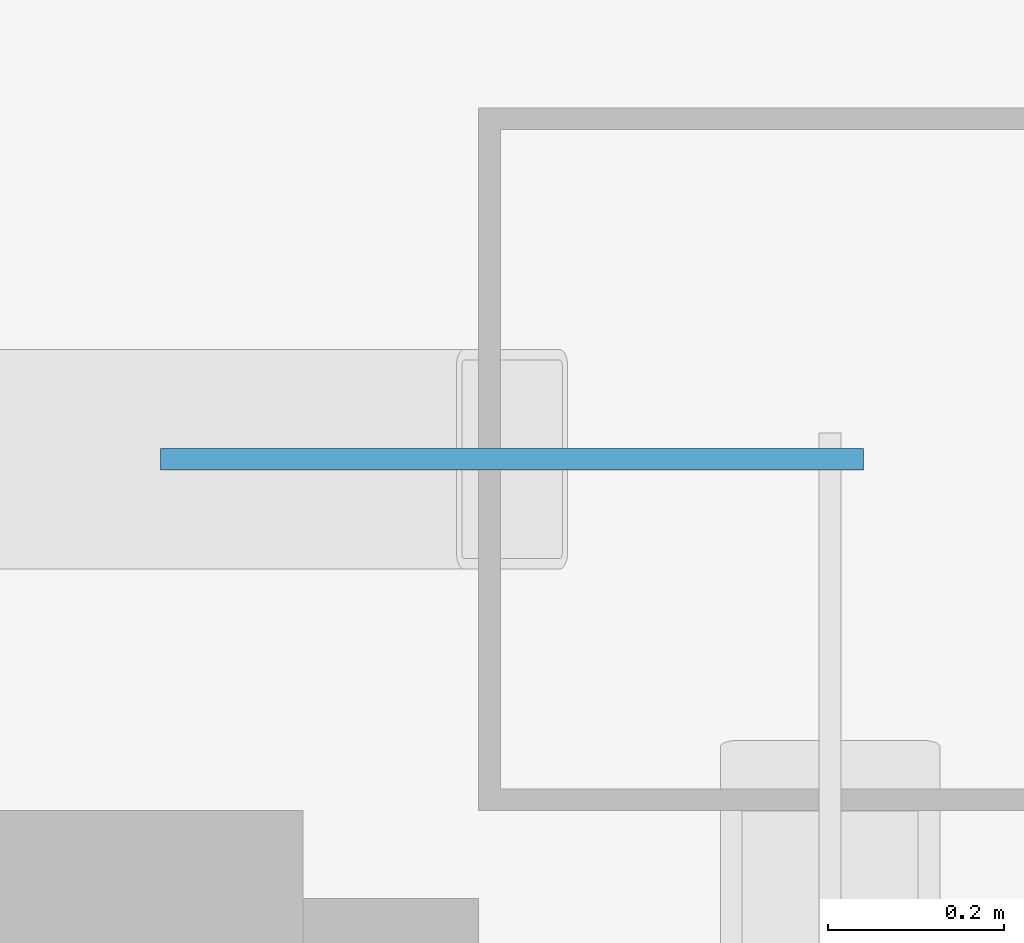
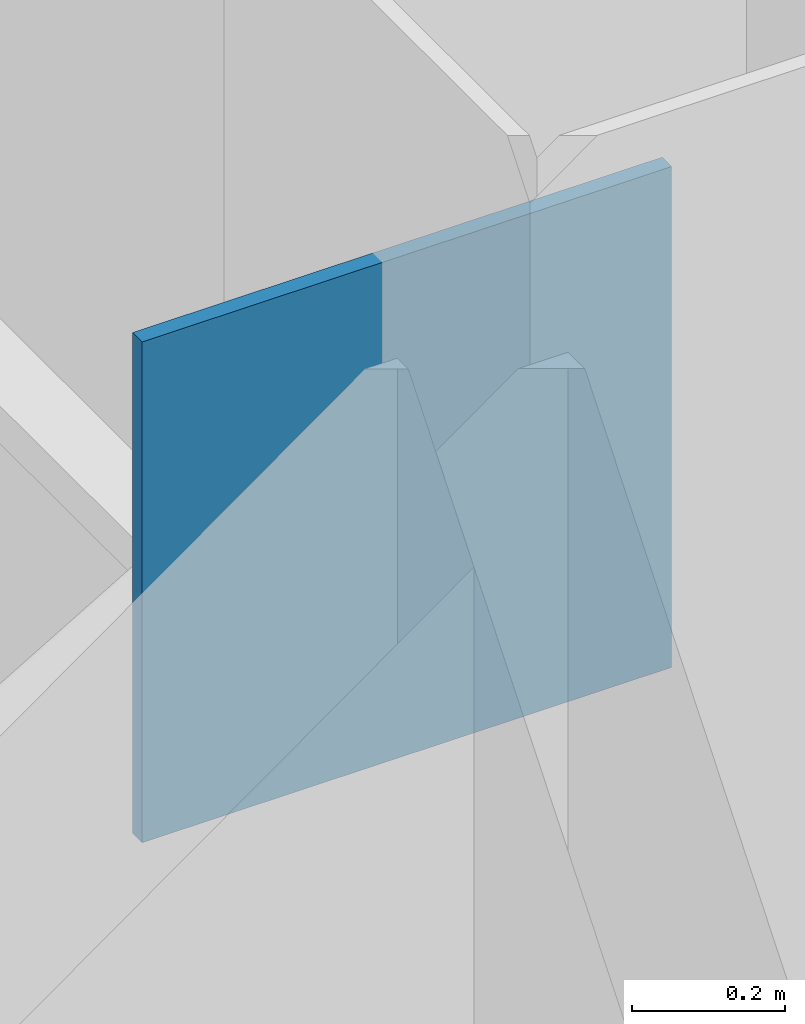
# One storey, part 16 of 18: 1 discrete accessory.
"""IFC4 building model written with IfcOpenShell, lengths in metres."""

from ifc_helpers import new_model, si_unit, direction, frame, origin, origin_2d, place, context, subcontext, project, spatial, rectangle, extrude, material, layer, layer_set, type_object, element, save


model = new_model("IFC4")

# Units and contexts
model_context = context("Model", 3, precision=1e-05, world=origin(), true_north=direction((0.0, 1.0)))
body_context = subcontext(model_context, "Body", "Model", "MODEL_VIEW")
ifc_project = project(units=[si_unit("LENGTHUNIT", "METRE"), si_unit("AREAUNIT", "SQUARE_METRE"), si_unit("VOLUMEUNIT", "CUBIC_METRE"), si_unit("PLANEANGLEUNIT", "RADIAN"), si_unit("MASSUNIT", "GRAM", prefix="KILO")], contexts=[model_context])

# Site, building, storey
site_placement = place(None, origin())
site = spatial("IfcSite", under=ifc_project, at=site_placement, CompositionType="ELEMENT")
building_placement = place(site_placement, origin())
building = spatial("IfcBuilding", under=site, at=building_placement, Name="Sorahane Residences", CompositionType="ELEMENT")
storey_placement = place(building_placement, frame((0.0, 0.0, 345.800048828125)))
storey = spatial("IfcBuildingStorey", under=building, at=storey_placement, Name="L82", CompositionType="ELEMENT", Elevation=345.800048828125)

# Discrete accessory
ifc_material = material(Name="Steel Q355B", Category="steel")
ifc_layer = layer(ifc_material, 0.02490234375)
ifc_layer_set = layer_set([ifc_layer], Name="Node plate Steel Q355B 25")
discrete_accessory_type = type_object("IfcDiscreteAccessoryType", Name="Node plate Steel Q355B 25", PredefinedType="BRACKET", material=ifc_layer_set)
discrete_accessory_placement = place(storey_placement, frame((41.637939453125, 45.60009765625, 2.79736328125), z_axis=(0.0, 0.0, 1.0), x_axis=(1.0, 0.0, 0.0)))
element("IfcDiscreteAccessory", 1, at=discrete_accessory_placement, inside=storey, type_object=discrete_accessory_type, Name="Node plate L82 br", PredefinedType="BRACKET", context=body_context, shape_type="SweptSolid", body=[
    extrude(rectangle(XDim=0.800048828125, YDim=0.02490234375, at=origin_2d()), origin(), (0.0, 0.0, 1.0), 0.800048828125),
])

save(model, "model.ifc")
